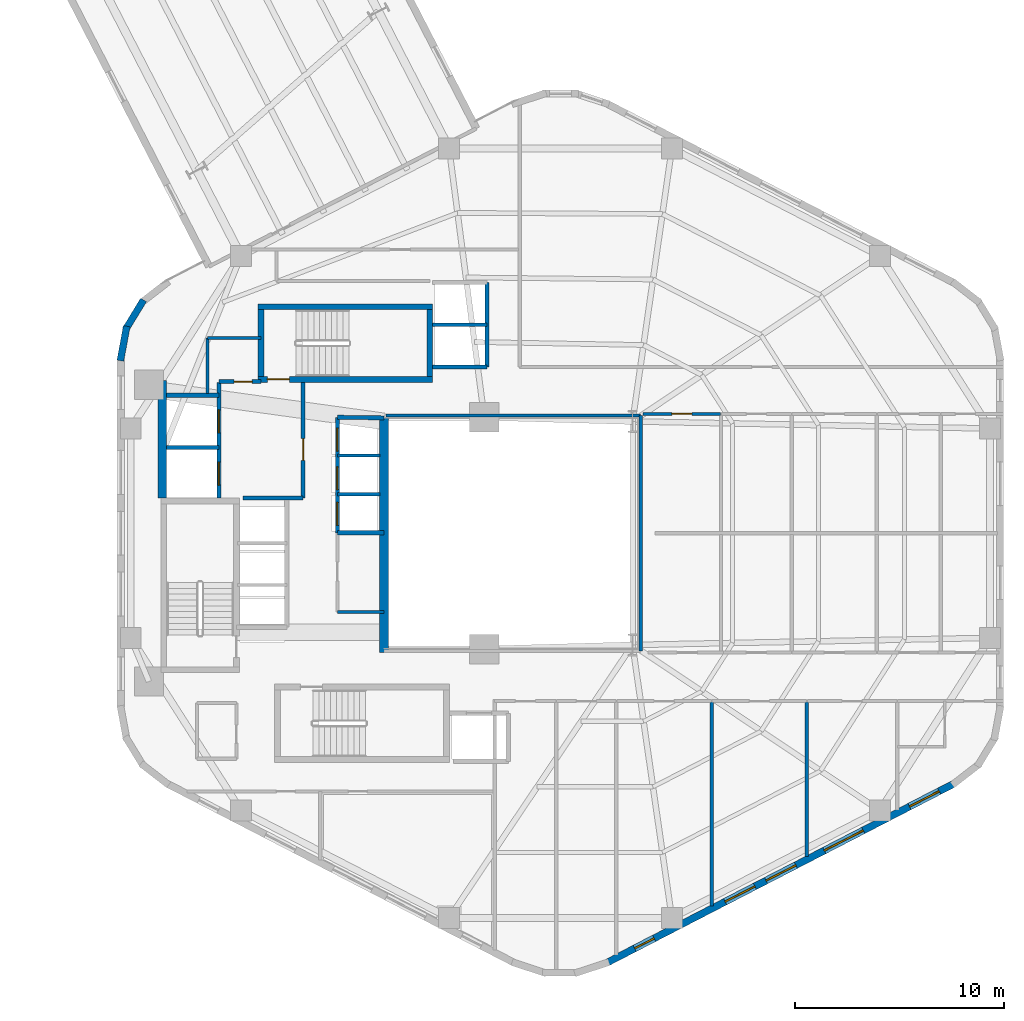
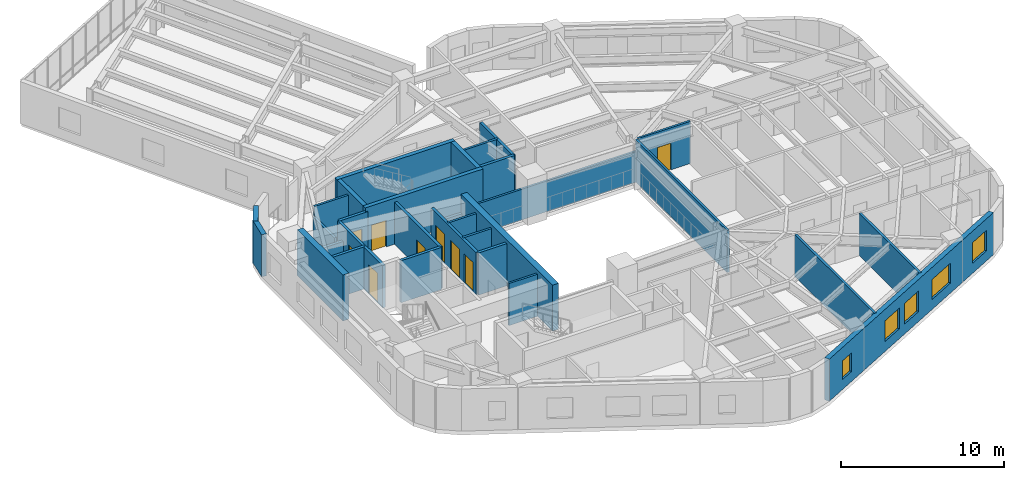
# One storey, part 7 of 10: 31 walls, 9 doors, 5 windows, 14 openings.
"""IFC4 building model written with IfcOpenShell, lengths in metres."""

import ifcopenshell
import ifcopenshell.guid

model = None  # the IFC model being written
_history = None  # IfcOwnerHistory: only IFC2X3 demands one
_inside = {}  # id of a spatial element -> (the spatial element, [elements in it])
_under = {}  # id of a project, library or spatial element -> (it, [spatial elements below it])
_declared = {}  # id of a project -> (the project, [libraries it declares])
_typed = {}  # id of a type object -> (the type object, [elements of that type])
_made_of = {}  # id of a material, layer set ... -> (it, [elements and type objects made of it])


def new_model(schema):
    """Start an empty IFC model of exactly this schema.

    Asked for "IFC4X3", IfcOpenShell would pick the latest addendum, in which some entities
    have other attributes; the version numbers below select the first issue.
    IFC2X3 requires an IfcOwnerHistory on every rooted entity: one is made here for all.
    """
    global model, _history
    if schema == "IFC4X3":
        model = ifcopenshell.file(schema_version=(4, 3, 0, 0))
    else:
        model = ifcopenshell.file(schema=schema)
    _inside.clear()
    _under.clear()
    _declared.clear()
    _typed.clear()
    _made_of.clear()
    _history = None
    if model.schema == "IFC2X3":
        org = make("IfcOrganization", Name="unknown")
        user = make(
            "IfcPersonAndOrganization",
            ThePerson=make("IfcPerson", FamilyName="unknown"),
            TheOrganization=org,
        )
        app = make(
            "IfcApplication",
            ApplicationDeveloper=org,
            Version="unknown",
            ApplicationFullName="unknown",
            ApplicationIdentifier="unknown",
        )
        _history = make(
            "IfcOwnerHistory",
            OwningUser=user,
            OwningApplication=app,
            ChangeAction="ADDED",
            CreationDate=0,
        )
    return model


def make(cls, **values):
    """One entity of the class cls with the attributes given. An attribute that is None is left unset."""
    return model.create_entity(
        cls, **{name: value for name, value in values.items() if value is not None}
    )


def rooted(cls, **values):
    """An entity with a GlobalId (a new one), such as an element, a storey or a relation."""
    return make(cls, GlobalId=ifcopenshell.guid.new(), OwnerHistory=_history, **values)


def si_unit(unit_type, name, prefix=None):
    """IfcSIUnit, for example si_unit("LENGTHUNIT", "METRE", prefix="MILLI")."""
    return make("IfcSIUnit", UnitType=unit_type, Prefix=prefix, Name=name)


def assignment(units):
    """IfcUnitAssignment: the units of a project."""
    return None if units is None else make("IfcUnitAssignment", Units=units)


def point(xyz):
    """IfcCartesianPoint."""
    return None if xyz is None else make("IfcCartesianPoint", Coordinates=xyz)


def direction(xyz):
    """IfcDirection."""
    return None if xyz is None else make("IfcDirection", DirectionRatios=xyz)


def frame(location, z_axis=None, x_axis=None):
    """IfcAxis2Placement3D, a coordinate frame: its origin and axes. An axis left out is left unset."""
    return make(
        "IfcAxis2Placement3D",
        Location=point(location),
        Axis=direction(z_axis),
        RefDirection=direction(x_axis),
    )


def frame_2d(location, x_axis=None):
    """IfcAxis2Placement2D, a coordinate frame in the plane: its origin and x axis."""
    return make(
        "IfcAxis2Placement2D", Location=point(location), RefDirection=direction(x_axis)
    )


def origin():
    """The frame at (0, 0, 0) with its axes left unset."""
    return frame((0.0, 0.0, 0.0))


def place(relative_to, where):
    """IfcLocalPlacement: puts the frame where relative to a parent placement (None: the world)."""
    return make(
        "IfcLocalPlacement", PlacementRelTo=relative_to, RelativePlacement=where
    )


def context(
    kind, dimensions, precision=None, world=None, true_north=None, identifier=None
):
    """IfcGeometricRepresentationContext, for example the 3D "Model" context."""
    return make(
        "IfcGeometricRepresentationContext",
        ContextIdentifier=identifier,
        ContextType=kind,
        CoordinateSpaceDimension=dimensions,
        Precision=precision,
        WorldCoordinateSystem=world,
        TrueNorth=true_north,
    )


def subcontext(parent, identifier, kind, view, scale=None):
    """IfcGeometricRepresentationSubContext, for example "Body" below "Model"."""
    return make(
        "IfcGeometricRepresentationSubContext",
        ContextIdentifier=identifier,
        ContextType=kind,
        ParentContext=parent,
        TargetScale=scale,
        TargetView=view,
    )


def project(units=None, contexts=None):
    """IfcProject with its units and contexts."""
    return rooted(
        "IfcProject",
        Name="project",
        RepresentationContexts=contexts,
        UnitsInContext=assignment(units),
    )


def spatial(cls, under=None, at=None, **own):
    """A site, building, storey or space (cls), placed at a placement, below another one or the project."""
    s = rooted(cls, ObjectPlacement=at, **own)
    if under is not None:
        _under.setdefault(under.id(), (under, []))[1].append(s)
    return s


def profile(cls, at=None, kind="AREA", **sizes):
    """A parametric profile (cls). Its sizes go by their IFC names, for example OverallWidth=200.0."""
    return make(cls, ProfileType=kind, Position=at, **sizes)


def rectangle(**sizes):
    """IfcRectangleProfileDef."""
    return profile("IfcRectangleProfileDef", **sizes)


def extrude(swept, where, along, depth):
    """IfcExtrudedAreaSolid: the profile swept, set in the frame where, extruded along a direction by depth."""
    return make(
        "IfcExtrudedAreaSolid",
        SweptArea=swept,
        Position=where,
        ExtrudedDirection=direction(along),
        Depth=depth,
    )


def shape(context_of_items, identifier, shape_type, items):
    """IfcShapeRepresentation: the items that make up one representation, for example the "Body"."""
    return make(
        "IfcShapeRepresentation",
        ContextOfItems=context_of_items,
        RepresentationIdentifier=identifier,
        RepresentationType=shape_type,
        Items=items,
    )


def material(Name=None, Category=None):
    """IfcMaterial."""
    return make("IfcMaterial", Name=Name, Category=Category)


def layer(
    of_material, thickness, ventilated=None, Name=None, Category=None, Priority=None
):
    """IfcMaterialLayer: one layer of a wall or slab, of a material (None: an air gap)."""
    return make(
        "IfcMaterialLayer",
        Material=of_material,
        LayerThickness=thickness,
        IsVentilated=ventilated,
        Name=Name,
        Category=Category,
        Priority=Priority,
    )


def layer_set(layers, Name=None):
    """IfcMaterialLayerSet."""
    return make("IfcMaterialLayerSet", MaterialLayers=layers, LayerSetName=Name)


def made_of(thing, what):
    """Note that an element or type object is made of a material, layer set ...; save() writes the relation."""
    if what is not None:
        _made_of.setdefault(what.id(), (what, []))[1].append(thing)
    return thing


def type_object(cls, material=None, **own):
    """A type object (cls), such as IfcWallType, which elements share."""
    return made_of(rooted(cls, **own), material)


def element(
    cls,
    number,
    at=None,
    inside=None,
    cuts=None,
    type_object=None,
    material=None,
    context=None,
    identifier="Body",
    shape_type=None,
    held_by="IfcProductDefinitionShape",
    body=None,
    shapes=None,
    **own,
):
    """One element of the class cls, such as IfcWall. Its Tag is "e" and its number.

    at: its placement. inside: the storey or other place that contains it. cuts: it is an
    opening in that element (IfcRelVoidsElement). A single representation is given by context,
    identifier, shape_type and body (its items); several are given by shapes. held_by: the class
    of the entity that holds the representations. save() writes the other relations.
    """
    e = rooted(cls, Tag="e%d" % number, ObjectPlacement=at, **own)
    if body is not None:
        shapes = [shape(context, identifier, shape_type, body)]
    if shapes is not None:
        e.Representation = make(held_by, Representations=shapes)
    if inside is not None:
        _inside.setdefault(inside.id(), (inside, []))[1].append(e)
    if cuts is not None:
        rooted(
            "IfcRelVoidsElement", RelatingBuildingElement=cuts, RelatedOpeningElement=e
        )
    if type_object is not None:
        _typed.setdefault(type_object.id(), (type_object, []))[1].append(e)
    return made_of(e, material)


def fill(opening, filler):
    """IfcRelFillsElement: the door or window that sits in an opening."""
    return rooted(
        "IfcRelFillsElement",
        RelatingOpeningElement=opening,
        RelatedBuildingElement=filler,
    )


def aggregate(whole, parts):
    """IfcRelAggregates: a whole, such as a stair, and the parts it consists of."""
    return rooted("IfcRelAggregates", RelatingObject=whole, RelatedObjects=parts)


def save(model, path):
    """Write the relations noted so far, then the file.

    IfcRelAggregates (storeys below a building ...), IfcRelContainedInSpatialStructure (elements
    in a storey), IfcRelDefinesByType, IfcRelAssociatesMaterial and IfcRelDeclares: one each for
    every whole, place, type object, material and project.
    """
    for whole, parts in _under.values():
        aggregate(whole, parts)
    for where, things in _inside.values():
        rooted(
            "IfcRelContainedInSpatialStructure",
            RelatedElements=things,
            RelatingStructure=where,
        )
    for kind, things in _typed.values():
        rooted("IfcRelDefinesByType", RelatedObjects=things, RelatingType=kind)
    for what, things in _made_of.values():
        rooted("IfcRelAssociatesMaterial", RelatedObjects=things, RelatingMaterial=what)
    for by, libraries in _declared.values():
        rooted("IfcRelDeclares", RelatingContext=by, RelatedDefinitions=libraries)
    model.write(path)


model = new_model("IFC4")

# Units and contexts
model_context = context("Model", 3, precision=1e-05, world=origin(), true_north=direction((0.0, 1.0)))
body_context = subcontext(model_context, "Body", "Model", "MODEL_VIEW")
ifc_project = project(units=[si_unit("LENGTHUNIT", "METRE"), si_unit("AREAUNIT", "SQUARE_METRE"), si_unit("VOLUMEUNIT", "CUBIC_METRE"), si_unit("PLANEANGLEUNIT", "RADIAN"), si_unit("MASSUNIT", "GRAM", prefix="KILO"), si_unit("THERMODYNAMICTEMPERATUREUNIT", "KELVIN"), si_unit("POWERUNIT", "WATT")], contexts=[model_context])

# Site, building, storey
site_placement = place(None, origin())
site = spatial("IfcSite", under=ifc_project, at=site_placement, CompositionType="ELEMENT")
building_placement = place(site_placement, origin())
building = spatial("IfcBuilding", under=site, at=building_placement, Name="Skarre Station Tower", CompositionType="ELEMENT")
storey_placement = place(building_placement, frame((0.0, 0.0, 142.949951171875)))
storey = spatial("IfcBuildingStorey", under=building, at=storey_placement, Name="L38", CompositionType="ELEMENT", Elevation=142.949951171875)

# Walls
ifc_material_1 = material(Name="Acoustic Steel-Stud Gypsum Partition", Category="steel")
ifc_layer_1 = layer(ifc_material_1, 0.14990234375, Name="Acoustic Steel-Stud Gypsum Partition")
ifc_layer_set_1 = layer_set([ifc_layer_1], Name="Acoustic Steel-Stud Gypsum Partition")
wall_type_1 = type_object("IfcWallType", Name="Fire-Rated Corridor Acoustic Partition 150", PredefinedType="PARTITIONING", material=ifc_layer_set_1)
wall_1_placement = place(storey_placement, frame((25.320068359375, 20.219970703125, 0.0), z_axis=(0.0, 0.0, 1.0), x_axis=(1.0, 0.0, 0.0)))
element("IfcWall", 1, at=wall_1_placement, inside=storey, type_object=wall_type_1, Name="L38 Interior Partition WL-PT-L38-RC1-S", PredefinedType="PARTITIONING", context=body_context, shape_type="SweptSolid", body=[
    extrude(rectangle(XDim=2.22998046875, YDim=0.14990234375, at=frame_2d((1.114990234375, 0.0))), origin(), (0.0, 0.0, 1.0), 3.16015625),
])
wall_2_placement = place(storey_placement, frame((19.10009765625, 33.35009765625, 0.0), z_axis=(0.0, 0.0, 1.0), x_axis=(0.0, -1.0, 0.0)))
element("IfcWall", 2, at=wall_2_placement, inside=storey, type_object=wall_type_1, Name="L38 Interior Partition WL-PT-L38-CNW-W", PredefinedType="PARTITIONING", context=body_context, shape_type="SweptSolid", body=[
    extrude(rectangle(XDim=2.655029296875, YDim=0.14990234375, at=frame_2d((1.32763671875, 0.0))), origin(), (0.0, 0.0, 1.0), 2.39013671875),
])
wall_3_placement = place(storey_placement, frame((21.659912109375, 33.35009765625, 0.0), z_axis=(0.0, 0.0, 1.0), x_axis=(-1.0, 0.0, 0.0)))
element("IfcWall", 3, at=wall_3_placement, inside=storey, type_object=wall_type_1, Name="L38 Interior Partition WL-PT-L38-CNW-N1", PredefinedType="PARTITIONING", context=body_context, shape_type="SweptSolid", body=[
    extrude(rectangle(XDim=2.559814453125, YDim=0.14990234375, at=frame_2d((1.27978515625, 0.0))), origin(), (0.0, 0.0, 1.0), 3.16015625),
])
wall_4_placement = place(storey_placement, frame((39.840087890625, 29.639892578125, 0.0), z_axis=(0.0, 0.0, 1.0), x_axis=(-1.0, 0.0, 0.0)))
element("IfcWall", 4, at=wall_4_placement, inside=storey, type_object=wall_type_1, Name="L38 Interior Partition WL-PT-L38-ATRW-N", PredefinedType="PARTITIONING", context=body_context, shape_type="SweptSolid", body=[
    extrude(rectangle(XDim=12.2001953125, YDim=0.14990234375, at=frame_2d((6.10009765625, 0.0))), origin(), (0.0, 0.0, 1.0), 2.301025390625),
])
wall_5_placement = place(storey_placement, frame((39.840087890625, 18.360107421875, 0.0), z_axis=(0.0, 0.0, 1.0), x_axis=(0.0, 1.0, 0.0)))
element("IfcWall", 5, at=wall_5_placement, inside=storey, type_object=wall_type_1, Name="L38 Interior Partition WL-PT-L38-ATRW-E", PredefinedType="PARTITIONING", context=body_context, shape_type="SweptSolid", body=[
    extrude(rectangle(XDim=11.27978515625, YDim=0.14990234375, at=frame_2d((5.639892578125, 0.0))), origin(), (0.0, 0.0, 1.0), 3.16015625),
])

# Wall, opening, door
wall_6_placement = place(storey_placement, frame((39.949951171875, 29.7099609375, 0.0), z_axis=(0.0, 0.0, 1.0), x_axis=(1.0, 0.0, 0.0)))
wall_6 = element("IfcWall", 6, at=wall_6_placement, inside=storey, type_object=wall_type_1, Name="L38 Interior Partition WL-PT-L38-EWN1-CW", PredefinedType="PARTITIONING", context=body_context, shape_type="SweptSolid", body=[
    extrude(rectangle(XDim=3.718017578125, YDim=0.14990234375, at=frame_2d((1.85888671875, 0.0))), origin(), (0.0, 0.0, 1.0), 3.16015625),
])
opening_1_placement = place(wall_6_placement, frame((1.37890625, 0.0, 0.0)))
opening_1 = element("IfcOpeningElement", 7, at=opening_1_placement, cuts=wall_6, Name="Opening DR-FD60", PredefinedType="OPENING", context=body_context, shape_type="SweptSolid", body=[
    extrude(rectangle(XDim=0.9599609375, YDim=2.0, at=frame_2d((0.47998046875, 1.0))), frame((0.0, 0.0849609375, 0.0), z_axis=(0.0, -1.0, 0.0), x_axis=(1.0, 0.0, 0.0)), (0.0, 0.0, 1.0), 0.169921875),
])
ifc_material_2 = material(Name="Nordic White-Oak Veneer Solid-Core Fire Leaf", Category="wood")
door_type_1 = type_object("IfcDoorType", Name="Corridor Suite Entry Fire Door FD60 960x2150", OperationType="SINGLE_SWING_LEFT", PredefinedType="DOOR", material=ifc_material_2)
door_1_placement = place(opening_1_placement, origin())
door_1 = element("IfcDoor", 8, at=door_1_placement, inside=storey, type_object=door_type_1, Name="L38 EWN1 Entry Door", OperationType="SINGLE_SWING_LEFT", OverallHeight=2.0, OverallWidth=0.9599609375, PredefinedType="DOOR", context=body_context, shape_type="SweptSolid", body=[
    extrude(rectangle(XDim=0.9599609375, YDim=2.0, at=frame_2d((0.47998046875, 1.0))), frame((0.0, 0.02490234375, 0.0), z_axis=(0.0, -1.0, 0.0), x_axis=(1.0, 0.0, 0.0)), (0.0, 0.0, 1.0), 0.050048828125),
])
fill(opening_1, door_1)

# Wall, openings, windows
ifc_material_3 = material(Name="Precast concrete C45/55", Category="concrete")
ifc_layer_2 = layer(ifc_material_3, 0.340087890625, Name="Precast concrete C45/55")
ifc_layer_set_2 = layer_set([ifc_layer_2], Name="Precast concrete C45/55")
wall_type_2 = type_object("IfcWallType", Name="Nordic Honed Precast Facet Wall 340", PredefinedType="STANDARD", material=ifc_layer_set_2)
wall_7_placement = place(storey_placement, frame((54.8310546875, 12.010009765625, 0.0), z_axis=(0.0, 0.0, 1.0), x_axis=(-0.888613612362, -0.458656568606, 0.0)))
wall_7 = element("IfcWall", 9, at=wall_7_placement, inside=storey, type_object=wall_type_2, Name="L38 Facet 4 Nordic Precast Masonry Wall", PredefinedType="STANDARD", context=body_context, shape_type="SweptSolid", body=[
    extrude(rectangle(XDim=18.680908203125, YDim=0.340087890625, at=frame_2d((9.34033203125, 0.0))), origin(), (0.0, 0.0, 1.0), 3.16015625),
])
opening_2_placement = place(wall_7_placement, frame((0.7890625, 0.0, 0.75)))
opening_2 = element("IfcOpeningElement", 10, at=opening_2_placement, cuts=wall_7, Name="Opening WN-Z2A", PredefinedType="OPENING", context=body_context, shape_type="SweptSolid", body=[
    extrude(rectangle(XDim=1.60009765625, YDim=1.550048828125, at=frame_2d((0.800048828125, 0.77490234375))), frame((0.0, 0.179931640625, 0.0), z_axis=(0.0, -1.0, 0.0), x_axis=(1.0, 0.0, 0.0)), (0.0, 0.0, 1.0), 0.360107421875),
])
opening_3_placement = place(wall_7_placement, frame((4.882080078125, 0.0, 0.75)))
opening_3 = element("IfcOpeningElement", 11, at=opening_3_placement, cuts=wall_7, Name="Opening WN-Z2B", PredefinedType="OPENING", context=body_context, shape_type="SweptSolid", body=[
    extrude(rectangle(XDim=2.10009765625, YDim=1.5, at=frame_2d((1.050048828125, 0.75))), frame((0.0, 0.179931640625, 0.0), z_axis=(0.0, -1.0, 0.0), x_axis=(1.0, 0.0, 0.0)), (0.0, 0.0, 1.0), 0.360107421875),
])
opening_4_placement = place(wall_7_placement, frame((8.514892578125, 0.0, 0.75)))
opening_4 = element("IfcOpeningElement", 12, at=opening_4_placement, cuts=wall_7, Name="Opening WN-Z2A", PredefinedType="OPENING", context=body_context, shape_type="SweptSolid", body=[
    extrude(rectangle(XDim=1.60009765625, YDim=1.550048828125, at=frame_2d((0.800048828125, 0.77490234375))), frame((0.0, 0.179931640625, 0.0), z_axis=(0.0, -1.0, 0.0), x_axis=(1.0, 0.0, 0.0)), (0.0, 0.0, 1.0), 0.360107421875),
])
opening_5_placement = place(wall_7_placement, frame((10.718994140625, 0.0, 0.75)))
opening_5 = element("IfcOpeningElement", 13, at=opening_5_placement, cuts=wall_7, Name="Opening WN-Z2A", PredefinedType="OPENING", context=body_context, shape_type="SweptSolid", body=[
    extrude(rectangle(XDim=1.60009765625, YDim=1.550048828125, at=frame_2d((0.800048828125, 0.77490234375))), frame((0.0, 0.179931640625, 0.0), z_axis=(0.0, -1.0, 0.0), x_axis=(1.0, 0.0, 0.0)), (0.0, 0.0, 1.0), 0.360107421875),
])
opening_6_placement = place(wall_7_placement, frame((16.14306640625, 0.0, 0.75)))
opening_6 = element("IfcOpeningElement", 14, at=opening_6_placement, cuts=wall_7, Name="Opening WN-SLT", PredefinedType="OPENING", context=body_context, shape_type="SweptSolid", body=[
    extrude(rectangle(XDim=1.050048828125, YDim=1.39990234375, at=frame_2d((0.52490234375, 0.699951171875))), frame((0.0, 0.179931640625, 0.0), z_axis=(0.0, -1.0, 0.0), x_axis=(1.0, 0.0, 0.0)), (0.0, 0.0, 1.0), 0.360107421875),
])
ifc_material_4 = material(Name="Low-Iron Triple Glazing with Bronze Anodized Frame", Category="glass")
window_type_1 = type_object("IfcWindowType", Name="Nordic Corner Slot Window 1050x1400", PartitioningType="SINGLE_PANEL", PredefinedType="WINDOW", material=ifc_material_4)
window_1_placement = place(opening_6_placement, origin())
window_1 = element("IfcWindow", 15, at=window_1_placement, inside=storey, type_object=window_type_1, Name="L38 Facade Window WL-FAC-L38-F4-5", OverallHeight=1.39990234375, OverallWidth=1.050048828125, PartitioningType="SINGLE_PANEL", PredefinedType="WINDOW", context=body_context, shape_type="SweptSolid", body=[
    extrude(rectangle(XDim=1.050048828125, YDim=1.39990234375, at=frame_2d((0.52490234375, 0.699951171875))), frame((0.0, 0.030029296875, 0.0), z_axis=(0.0, -1.0, 0.0), x_axis=(1.0, 0.0, 0.0)), (0.0, 0.0, 1.0), 0.06005859375),
])
fill(opening_6, window_1)
window_type_2 = type_object("IfcWindowType", Name="Nordic Residential Tall Window 1600x1550", PartitioningType="SINGLE_PANEL", PredefinedType="WINDOW", material=ifc_material_4)
window_2_placement = place(opening_2_placement, origin())
window_2 = element("IfcWindow", 16, at=window_2_placement, inside=storey, type_object=window_type_2, Name="L38 Facade Window WL-FAC-L38-F4-1", OverallHeight=1.550048828125, OverallWidth=1.60009765625, PartitioningType="SINGLE_PANEL", PredefinedType="WINDOW", context=body_context, shape_type="SweptSolid", body=[
    extrude(rectangle(XDim=1.60009765625, YDim=1.550048828125, at=frame_2d((0.800048828125, 0.77490234375))), frame((0.0, 0.030029296875, 0.0), z_axis=(0.0, -1.0, 0.0), x_axis=(1.0, 0.0, 0.0)), (0.0, 0.0, 1.0), 0.06005859375),
])
fill(opening_2, window_2)
window_3_placement = place(opening_4_placement, origin())
window_3 = element("IfcWindow", 17, at=window_3_placement, inside=storey, type_object=window_type_2, Name="L38 Facade Window WL-FAC-L38-F4-3", OverallHeight=1.550048828125, OverallWidth=1.60009765625, PartitioningType="SINGLE_PANEL", PredefinedType="WINDOW", context=body_context, shape_type="SweptSolid", body=[
    extrude(rectangle(XDim=1.60009765625, YDim=1.550048828125, at=frame_2d((0.800048828125, 0.77490234375))), frame((0.0, 0.030029296875, 0.0), z_axis=(0.0, -1.0, 0.0), x_axis=(1.0, 0.0, 0.0)), (0.0, 0.0, 1.0), 0.06005859375),
])
fill(opening_4, window_3)
window_4_placement = place(opening_5_placement, origin())
window_4 = element("IfcWindow", 18, at=window_4_placement, inside=storey, type_object=window_type_2, Name="L38 Facade Window WL-FAC-L38-F4-4", OverallHeight=1.550048828125, OverallWidth=1.60009765625, PartitioningType="SINGLE_PANEL", PredefinedType="WINDOW", context=body_context, shape_type="SweptSolid", body=[
    extrude(rectangle(XDim=1.60009765625, YDim=1.550048828125, at=frame_2d((0.800048828125, 0.77490234375))), frame((0.0, 0.030029296875, 0.0), z_axis=(0.0, -1.0, 0.0), x_axis=(1.0, 0.0, 0.0)), (0.0, 0.0, 1.0), 0.06005859375),
])
fill(opening_5, window_4)
window_type_3 = type_object("IfcWindowType", Name="Nordic Residential Twin Window 2100x1500", PartitioningType="SINGLE_PANEL", PredefinedType="WINDOW", material=ifc_material_4)
window_5_placement = place(opening_3_placement, origin())
window_5 = element("IfcWindow", 19, at=window_5_placement, inside=storey, type_object=window_type_3, Name="L38 Facade Window WL-FAC-L38-F4-2", OverallHeight=1.5, OverallWidth=2.10009765625, PartitioningType="SINGLE_PANEL", PredefinedType="WINDOW", context=body_context, shape_type="SweptSolid", body=[
    extrude(rectangle(XDim=2.10009765625, YDim=1.5, at=frame_2d((1.050048828125, 0.75))), frame((0.0, 0.030029296875, 0.0), z_axis=(0.0, -1.0, 0.0), x_axis=(1.0, 0.0, 0.0)), (0.0, 0.0, 1.0), 0.06005859375),
])
fill(opening_3, window_5)

# Walls
ifc_layer_3 = layer(ifc_material_3, 0.330078125, Name="Precast concrete C45/55")
ifc_layer_set_3 = layer_set([ifc_layer_3], Name="Precast concrete C45/55")
wall_type_3 = type_object("IfcWallType", Name="Nordic Rounded Corner Precast Wall 330", PredefinedType="STANDARD", material=ifc_layer_set_3)
wall_8_placement = place(storey_placement, frame((14.931884765625, 32.258056640625, 0.0), z_axis=(0.0, 0.0, 1.0), x_axis=(0.181984991895, 0.983301308209, 0.0)))
element("IfcWall", 20, at=wall_8_placement, inside=storey, type_object=wall_type_3, Name="L38 Rounded Corner Precast Wall F2-1", PredefinedType="STANDARD", context=body_context, shape_type="SweptSolid", body=[
    extrude(rectangle(XDim=1.677001953125, YDim=0.330078125, at=frame_2d((0.83837890625, 0.0))), origin(), (0.0, 0.0, 1.0), 3.16015625),
])
wall_9_placement = place(storey_placement, frame((15.169921875, 33.73193359375, 0.0), z_axis=(0.0, 0.0, 1.0), x_axis=(0.520519429557, 0.853849824883, 0.0)))
element("IfcWall", 21, at=wall_9_placement, inside=storey, type_object=wall_type_3, Name="L38 Rounded Corner Precast Wall F2-2", PredefinedType="STANDARD", context=body_context, shape_type="SweptSolid", body=[
    extrude(rectangle(XDim=1.67724609375, YDim=0.330078125, at=frame_2d((0.838623046875, 0.0))), origin(), (0.0, 0.0, 1.0), 3.16015625),
])

# Wall, opening, door
ifc_material_5 = material(Name="Concrete C50/60", Category="concrete")
ifc_layer_4 = layer(ifc_material_5, 0.280029296875, Name="Concrete C50/60")
ifc_layer_set_4 = layer_set([ifc_layer_4], Name="Concrete C50/60")
wall_type_4 = type_object("IfcWallType", Name="RC Core Shear Wall 280", PredefinedType="SHEAR", material=ifc_layer_set_4)
wall_10_placement = place(storey_placement, frame((21.52001953125, 31.360107421875, 0.0), z_axis=(0.0, 0.0, 1.0), x_axis=(1.0, 0.0, 0.0)))
wall_10 = element("IfcWall", 22, at=wall_10_placement, inside=storey, type_object=wall_type_4, Name="L38 Stair ST-3 South Shear Wall", PredefinedType="SHEAR", context=body_context, shape_type="SweptSolid", body=[
    extrude(rectangle(XDim=8.35986328125, YDim=0.280029296875, at=frame_2d((4.179931640625, 0.0))), origin(), (0.0, 0.0, 1.0), 3.449951171875),
])
opening_7_placement = place(wall_10_placement, frame((0.449951171875, 0.0, 0.0)))
opening_7 = element("IfcOpeningElement", 23, at=opening_7_placement, cuts=wall_10, Name="Opening DR-FD90", PredefinedType="OPENING", context=body_context, shape_type="SweptSolid", body=[
    extrude(rectangle(XDim=1.050048828125, YDim=2.0, at=frame_2d((0.52490234375, 1.0))), frame((0.0, 0.14990234375, 0.0), z_axis=(0.0, -1.0, 0.0), x_axis=(1.0, 0.0, 0.0)), (0.0, 0.0, 1.0), 0.300048828125),
])
ifc_material_6 = material(Name="Fire-Rated Insulated Steel Frame & Timber Core Leaf", Category="steel")
door_type_2 = type_object("IfcDoorType", Name="Stair & FSAE Lobby Fire Door FD90 1050x2150", OperationType="SINGLE_SWING_RIGHT", PredefinedType="DOOR", material=ifc_material_6)
door_2_placement = place(opening_7_placement, origin())
door_2 = element("IfcDoor", 24, at=door_2_placement, inside=storey, type_object=door_type_2, Name="L38 Stair ST-3 & FSAE Lobby Direct Exit Door", OperationType="SINGLE_SWING_LEFT", OverallHeight=2.0, OverallWidth=1.050048828125, PredefinedType="DOOR", context=body_context, shape_type="SweptSolid", body=[
    extrude(rectangle(XDim=1.050048828125, YDim=2.0, at=frame_2d((0.52490234375, 1.0))), frame((0.0, 0.02490234375, 0.0), z_axis=(0.0, -1.0, 0.0), x_axis=(1.0, 0.0, 0.0)), (0.0, 0.0, 1.0), 0.050048828125),
])
fill(opening_7, door_2)

# Walls
wall_11_placement = place(storey_placement, frame((29.8798828125, 34.840087890625, 0.0), z_axis=(0.0, 0.0, 1.0), x_axis=(-1.0, 0.0, 0.0)))
element("IfcWall", 25, at=wall_11_placement, inside=storey, type_object=wall_type_4, Name="L38 Stair ST-3 North Shear Wall", PredefinedType="SHEAR", context=body_context, shape_type="SweptSolid", body=[
    extrude(rectangle(XDim=8.35986328125, YDim=0.280029296875, at=frame_2d((4.179931640625, 0.0))), origin(), (0.0, 0.0, 1.0), 3.449951171875),
])
for number, where, z_axis, x_axis, name in (
    (26, (21.659912109375, 34.699951171875, 0.0), (0.0, 0.0, 1.0), (0.0, -1.0, 0.0), "L38 Stair ST-3 West Shear Wall"),
    (27, (29.739990234375, 31.5, 0.0), (0.0, 0.0, 1.0), (0.0, 1.0, 0.0), "L38 Stair ST-3 East Shear Wall"),
):
    element("IfcWall", number, at=place(storey_placement, frame(where, z_axis=z_axis, x_axis=x_axis)), inside=storey, type_object=wall_type_4, Name=name, PredefinedType="SHEAR", context=body_context, shape_type="SweptSolid", body=[
        extrude(rectangle(XDim=3.199951171875, YDim=0.280029296875, at=frame_2d((1.60009765625, 0.0))), origin(), (0.0, 0.0, 1.0), 3.449951171875),
    ])
ifc_material_7 = material(Name="Concrete C60/75", Category="concrete")
ifc_layer_5 = layer(ifc_material_7, 0.419921875, Name="Concrete C60/75")
ifc_layer_set_5 = layer_set([ifc_layer_5], Name="Concrete C60/75")
wall_type_5 = type_object("IfcWallType", Name="RC Core Shear Wall 420", PredefinedType="SHEAR", material=ifc_layer_set_5)
wall_12_placement = place(storey_placement, frame((16.93994140625, 25.679931640625, 0.0), z_axis=(0.0, 0.0, 1.0), x_axis=(0.0, 1.0, 0.0)))
element("IfcWall", 28, at=wall_12_placement, inside=storey, type_object=wall_type_5, Name="L38 Core West-North Shear Wall", PredefinedType="SHEAR", context=body_context, shape_type="SweptSolid", body=[
    extrude(rectangle(XDim=5.6201171875, YDim=0.419921875, at=frame_2d((2.81005859375, 0.0))), origin(), (0.0, 0.0, 1.0), 3.449951171875),
])
wall_13_placement = place(storey_placement, frame((27.550048828125, 29.550048828125, 0.0), z_axis=(0.0, 0.0, 1.0), x_axis=(0.0, -1.0, 0.0)))
element("IfcWall", 29, at=wall_13_placement, inside=storey, type_object=wall_type_5, Name="L38 Core East Atrium Shear Wall", PredefinedType="SHEAR", context=body_context, shape_type="SweptSolid", body=[
    extrude(rectangle(XDim=11.25, YDim=0.419921875, at=frame_2d((5.625, 0.0))), origin(), (0.0, 0.0, 1.0), 3.449951171875),
])

# Wall, openings, doors
ifc_material_8 = material(Name="Gypsum Concrete Shaft Assembly C30/37", Category="concrete")
ifc_layer_6 = layer(ifc_material_8, 0.199951171875, Name="Gypsum Concrete Shaft Assembly C30/37")
ifc_layer_set_6 = layer_set([ifc_layer_6], Name="Gypsum Concrete Shaft Assembly C30/37")
wall_type_6 = type_object("IfcWallType", Name="Shaft & Core Fire Partition 200", PredefinedType="PARTITIONING", material=ifc_layer_set_6)
wall_14_placement = place(storey_placement, frame((19.64990234375, 25.679931640625, 0.0), z_axis=(0.0, 0.0, 1.0), x_axis=(0.0, 1.0, 0.0)))
wall_14 = element("IfcWall", 30, at=wall_14_placement, inside=storey, type_object=wall_type_6, Name="L38 Interior Partition WL-PT-L38-FSAE-W", PredefinedType="PARTITIONING", context=body_context, shape_type="SweptSolid", body=[
    extrude(rectangle(XDim=5.5400390625, YDim=0.199951171875, at=frame_2d((2.77001953125, 0.0))), origin(), (0.0, 0.0, 1.0), 3.16015625),
])
opening_8_placement = place(wall_14_placement, frame((0.6201171875, 0.0, 0.0)))
opening_8 = element("IfcOpeningElement", 31, at=opening_8_placement, cuts=wall_14, Name="Opening LD-FF1", PredefinedType="OPENING", context=body_context, shape_type="SweptSolid", body=[
    extrude(rectangle(XDim=1.10009765625, YDim=2.199951171875, at=frame_2d((0.550048828125, 1.10009765625))), frame((0.0, 0.10986328125, 0.0), z_axis=(0.0, -1.0, 0.0), x_axis=(1.0, 0.0, 0.0)), (0.0, 0.0, 1.0), 0.219970703125),
])
opening_9_placement = place(wall_14_placement, frame((3.1201171875, 0.0, 0.0)))
opening_9 = element("IfcOpeningElement", 32, at=opening_9_placement, cuts=wall_14, Name="Opening LD-FF2", PredefinedType="OPENING", context=body_context, shape_type="SweptSolid", body=[
    extrude(rectangle(XDim=1.10009765625, YDim=2.199951171875, at=frame_2d((0.550048828125, 1.10009765625))), frame((0.0, 0.10986328125, 0.0), z_axis=(0.0, -1.0, 0.0), x_axis=(1.0, 0.0, 0.0)), (0.0, 0.0, 1.0), 0.219970703125),
])
ifc_material_9 = material(Name="Fire-Rated Stainless Steel Grade 316L Sliding Leaves", Category="steel")
door_type_3 = type_object("IfcDoorType", Name="Fire Service Access Elevator Sliding Landing Door 1100x2200", OperationType="SLIDING_TO_LEFT", PredefinedType="DOOR", material=ifc_material_9)
door_3_placement = place(opening_8_placement, origin())
door_3 = element("IfcDoor", 33, at=door_3_placement, inside=storey, type_object=door_type_3, Name="L38 Firefighting Lift LF-FF1 Landing Door", OperationType="SLIDING_TO_LEFT", OverallHeight=2.199951171875, OverallWidth=1.10009765625, PredefinedType="DOOR", context=body_context, shape_type="SweptSolid", body=[
    extrude(rectangle(XDim=1.10009765625, YDim=2.199951171875, at=frame_2d((0.550048828125, 1.10009765625))), frame((0.0, 0.02490234375, 0.0), z_axis=(0.0, -1.0, 0.0), x_axis=(1.0, 0.0, 0.0)), (0.0, 0.0, 1.0), 0.050048828125),
])
fill(opening_8, door_3)
door_4_placement = place(opening_9_placement, origin())
door_4 = element("IfcDoor", 34, at=door_4_placement, inside=storey, type_object=door_type_3, Name="L38 Firefighting Lift LF-FF2 Landing Door", OperationType="SLIDING_TO_LEFT", OverallHeight=2.199951171875, OverallWidth=1.10009765625, PredefinedType="DOOR", context=body_context, shape_type="SweptSolid", body=[
    extrude(rectangle(XDim=1.10009765625, YDim=2.199951171875, at=frame_2d((0.550048828125, 1.10009765625))), frame((0.0, 0.02490234375, 0.0), z_axis=(0.0, -1.0, 0.0), x_axis=(1.0, 0.0, 0.0)), (0.0, 0.0, 1.0), 0.050048828125),
])
fill(opening_9, door_4)

# Wall
wall_15_placement = place(storey_placement, frame((20.79296875, 25.679931640625, 0.0), z_axis=(0.0, 0.0, 1.0), x_axis=(1.0, 0.0, 0.0)))
element("IfcWall", 35, at=wall_15_placement, inside=storey, type_object=wall_type_6, Name="L38 Interior Partition WL-PT-L38-FSAE-S", PredefinedType="PARTITIONING", context=body_context, shape_type="SweptSolid", body=[
    extrude(rectangle(XDim=2.886962890625, YDim=0.199951171875, at=frame_2d((1.443359375, 0.0))), origin(), (0.0, 0.0, 1.0), 3.16015625),
])

# Wall, opening, door
wall_16_placement = place(storey_placement, frame((23.679931640625, 25.679931640625, 0.0), z_axis=(0.0, 0.0, 1.0), x_axis=(0.0, 1.0, 0.0)))
wall_16 = element("IfcWall", 36, at=wall_16_placement, inside=storey, type_object=wall_type_6, Name="L38 Interior Partition WL-PT-L38-FSAE-E", PredefinedType="PARTITIONING", context=body_context, shape_type="SweptSolid", body=[
    extrude(rectangle(XDim=5.5400390625, YDim=0.199951171875, at=frame_2d((2.77001953125, 0.0))), origin(), (0.0, 0.0, 1.0), 3.16015625),
])
opening_10_placement = place(wall_16_placement, frame((1.800048828125, 0.0, 0.0)))
opening_10 = element("IfcOpeningElement", 37, at=opening_10_placement, cuts=wall_16, Name="Opening DR-FD90", PredefinedType="OPENING", context=body_context, shape_type="SweptSolid", body=[
    extrude(rectangle(XDim=1.050048828125, YDim=2.0, at=frame_2d((0.52490234375, 1.0))), frame((0.0, 0.10986328125, 0.0), z_axis=(0.0, -1.0, 0.0), x_axis=(1.0, 0.0, 0.0)), (0.0, 0.0, 1.0), 0.219970703125),
])
door_5_placement = place(opening_10_placement, origin())
door_5 = element("IfcDoor", 38, at=door_5_placement, inside=storey, type_object=door_type_2, Name="L38 FSAE Lobby Fire Door", OperationType="SINGLE_SWING_RIGHT", OverallHeight=2.0, OverallWidth=1.050048828125, PredefinedType="DOOR", context=body_context, shape_type="SweptSolid", body=[
    extrude(rectangle(XDim=1.050048828125, YDim=2.0, at=frame_2d((0.52490234375, 1.0))), frame((0.0, 0.02490234375, 0.0), z_axis=(0.0, -1.0, 0.0), x_axis=(1.0, 0.0, 0.0)), (0.0, 0.0, 1.0), 0.050048828125),
])
fill(opening_10, door_5)

wall_17_placement = place(storey_placement, frame((21.659912109375, 31.260009765625, 0.0), z_axis=(0.0, 0.0, 1.0), x_axis=(-1.0, 0.0, 0.0)))
wall_17 = element("IfcWall", 39, at=wall_17_placement, inside=storey, type_object=wall_type_6, Name="L38 Interior Partition WL-PT-L38-FSAE-N", PredefinedType="PARTITIONING", context=body_context, shape_type="SweptSolid", body=[
    extrude(rectangle(XDim=2.010009765625, YDim=0.199951171875, at=frame_2d((1.0048828125, 0.0))), origin(), (0.0, 0.0, 1.0), 3.16015625),
])
opening_11_placement = place(wall_17_placement, frame((0.419921875, 0.0, 0.0)))
opening_11 = element("IfcOpeningElement", 40, at=opening_11_placement, cuts=wall_17, Name="Opening DR-SVC86", PredefinedType="OPENING", context=body_context, shape_type="SweptSolid", body=[
    extrude(rectangle(XDim=0.860107421875, YDim=2.0, at=frame_2d((0.43017578125, 1.0))), frame((0.0, 0.10986328125, 0.0), z_axis=(0.0, -1.0, 0.0), x_axis=(1.0, 0.0, 0.0)), (0.0, 0.0, 1.0), 0.219970703125),
])
ifc_material_10 = material(Name="Powder-Coated Hollow-Metal Acoustic Fire Leaf", Category="steel")
door_type_4 = type_object("IfcDoorType", Name="Compact Riser Fire Door FD60 860x2100", OperationType="SINGLE_SWING_LEFT", PredefinedType="DOOR", material=ifc_material_10)
door_6_placement = place(opening_11_placement, origin())
door_6 = element("IfcDoor", 41, at=door_6_placement, inside=storey, type_object=door_type_4, Name="L38 Core Service Room Lobby Door", OperationType="SINGLE_SWING_LEFT", OverallHeight=2.0, OverallWidth=0.860107421875, PredefinedType="DOOR", context=body_context, shape_type="SweptSolid", body=[
    extrude(rectangle(XDim=0.860107421875, YDim=2.0, at=frame_2d((0.43017578125, 1.0))), frame((0.0, 0.02490234375, 0.0), z_axis=(0.0, -1.0, 0.0), x_axis=(1.0, 0.0, 0.0)), (0.0, 0.0, 1.0), 0.050048828125),
])
fill(opening_11, door_6)

# Walls
wall_18_placement = place(storey_placement, frame((17.14990234375, 28.10009765625, 0.0), z_axis=(0.0, 0.0, 1.0), x_axis=(1.0, 0.0, 0.0)))
element("IfcWall", 42, at=wall_18_placement, inside=storey, type_object=wall_type_6, Name="L38 Interior Partition WL-PT-L38-FF-DIV", PredefinedType="PARTITIONING", context=body_context, shape_type="SweptSolid", body=[
    extrude(rectangle(XDim=2.5, YDim=0.199951171875, at=frame_2d((1.25, 0.0))), origin(), (0.0, 0.0, 1.0), 3.16015625),
])
wall_19_placement = place(storey_placement, frame((19.64990234375, 30.60009765625, 0.0), z_axis=(0.0, 0.0, 1.0), x_axis=(-1.0, 0.0, 0.0)))
element("IfcWall", 43, at=wall_19_placement, inside=storey, type_object=wall_type_6, Name="L38 Interior Partition WL-PT-L38-FF-N", PredefinedType="PARTITIONING", context=body_context, shape_type="SweptSolid", body=[
    extrude(rectangle(XDim=2.5, YDim=0.199951171875, at=frame_2d((1.25, 0.0))), origin(), (0.0, 0.0, 1.0), 2.06005859375),
])
wall_20_placement = place(storey_placement, frame((32.47998046875, 31.949951171875, 0.0), z_axis=(0.0, 0.0, 1.0), x_axis=(0.0, 1.0, 0.0)))
element("IfcWall", 44, at=wall_20_placement, inside=storey, type_object=wall_type_6, Name="L38 Interior Partition WL-PT-L38-EX-E", PredefinedType="PARTITIONING", context=body_context, shape_type="SweptSolid", body=[
    extrude(rectangle(XDim=4.050048828125, YDim=0.199951171875, at=frame_2d((2.02490234375, 0.0))), origin(), (0.0, 0.0, 1.0), 3.16015625),
])
wall_21_placement = place(storey_placement, frame((32.47998046875, 31.949951171875, 0.0), z_axis=(0.0, 0.0, 1.0), x_axis=(-1.0, 0.0, 0.0)))
element("IfcWall", 45, at=wall_21_placement, inside=storey, type_object=wall_type_6, Name="L38 Interior Partition WL-PT-L38-EX-S", PredefinedType="PARTITIONING", context=body_context, shape_type="SweptSolid", body=[
    extrude(rectangle(XDim=2.60009765625, YDim=0.199951171875, at=frame_2d((1.300048828125, 0.0))), origin(), (0.0, 0.0, 1.0), 3.16015625),
])
wall_22_placement = place(storey_placement, frame((29.875, 33.97998046875, 0.0), z_axis=(0.0, 0.0, 1.0), x_axis=(1.0, 0.0, 0.0)))
element("IfcWall", 46, at=wall_22_placement, inside=storey, type_object=wall_type_6, Name="L38 Interior Partition WL-PT-L38-EX-DIV", PredefinedType="PARTITIONING", context=body_context, shape_type="SweptSolid", body=[
    extrude(rectangle(XDim=2.60498046875, YDim=0.159912109375, at=frame_2d((1.302490234375, 0.0))), origin(), (0.0, 0.0, 1.0), 3.16015625),
])

# Wall, openings, doors
wall_23_placement = place(storey_placement, frame((25.320068359375, 29.550048828125, 0.0), z_axis=(0.0, 0.0, 1.0), x_axis=(0.0, -1.0, 0.0)))
wall_23 = element("IfcWall", 47, at=wall_23_placement, inside=storey, type_object=wall_type_6, Name="L38 Interior Partition WL-PT-L38-B2-W", PredefinedType="PARTITIONING", context=body_context, shape_type="SweptSolid", body=[
    extrude(rectangle(XDim=5.530029296875, YDim=0.199951171875, at=frame_2d((2.76513671875, 0.0))), origin(), (0.0, 0.0, 1.0), 3.16015625),
])
opening_12_placement = place(wall_23_placement, frame((0.52001953125, 0.0, 0.0)))
opening_12 = element("IfcOpeningElement", 48, at=opening_12_placement, cuts=wall_23, Name="Opening LD-P6", PredefinedType="OPENING", context=body_context, shape_type="SweptSolid", body=[
    extrude(rectangle(XDim=1.10009765625, YDim=2.199951171875, at=frame_2d((0.550048828125, 1.10009765625))), frame((0.0, 0.10986328125, 0.0), z_axis=(0.0, -1.0, 0.0), x_axis=(1.0, 0.0, 0.0)), (0.0, 0.0, 1.0), 0.219970703125),
])
opening_13_placement = place(wall_23_placement, frame((2.3701171875, 0.0, 0.0)))
opening_13 = element("IfcOpeningElement", 49, at=opening_13_placement, cuts=wall_23, Name="Opening LD-P5", PredefinedType="OPENING", context=body_context, shape_type="SweptSolid", body=[
    extrude(rectangle(XDim=1.10009765625, YDim=2.199951171875, at=frame_2d((0.550048828125, 1.10009765625))), frame((0.0, 0.10986328125, 0.0), z_axis=(0.0, -1.0, 0.0), x_axis=(1.0, 0.0, 0.0)), (0.0, 0.0, 1.0), 0.219970703125),
])
opening_14_placement = place(wall_23_placement, frame((4.070068359375, 0.0, 0.0)))
opening_14 = element("IfcOpeningElement", 50, at=opening_14_placement, cuts=wall_23, Name="Opening LD-P4", PredefinedType="OPENING", context=body_context, shape_type="SweptSolid", body=[
    extrude(rectangle(XDim=1.10009765625, YDim=2.199951171875, at=frame_2d((0.550048828125, 1.10009765625))), frame((0.0, 0.10986328125, 0.0), z_axis=(0.0, -1.0, 0.0), x_axis=(1.0, 0.0, 0.0)), (0.0, 0.0, 1.0), 0.219970703125),
])
ifc_material_11 = material(Name="Brushed Bronze Stainless Steel Sliding Leaves", Category="steel")
door_type_5 = type_object("IfcDoorType", Name="Passenger Elevator Center-Parting Sliding Door 1100x2200", OperationType="SLIDING_TO_LEFT", PredefinedType="DOOR", material=ifc_material_11)
door_7_placement = place(opening_12_placement, origin())
door_7 = element("IfcDoor", 51, at=door_7_placement, inside=storey, type_object=door_type_5, Name="L38 Passenger Lift LF-P6 Landing Door", OperationType="SLIDING_TO_LEFT", OverallHeight=2.199951171875, OverallWidth=1.10009765625, PredefinedType="DOOR", context=body_context, shape_type="SweptSolid", body=[
    extrude(rectangle(XDim=1.10009765625, YDim=2.199951171875, at=frame_2d((0.550048828125, 1.10009765625))), frame((0.0, 0.02490234375, 0.0), z_axis=(0.0, -1.0, 0.0), x_axis=(1.0, 0.0, 0.0)), (0.0, 0.0, 1.0), 0.050048828125),
])
fill(opening_12, door_7)
door_8_placement = place(opening_13_placement, origin())
door_8 = element("IfcDoor", 52, at=door_8_placement, inside=storey, type_object=door_type_5, Name="L38 Passenger Lift LF-P5 Landing Door", OperationType="SLIDING_TO_LEFT", OverallHeight=2.199951171875, OverallWidth=1.10009765625, PredefinedType="DOOR", context=body_context, shape_type="SweptSolid", body=[
    extrude(rectangle(XDim=1.10009765625, YDim=2.199951171875, at=frame_2d((0.550048828125, 1.10009765625))), frame((0.0, 0.02490234375, 0.0), z_axis=(0.0, -1.0, 0.0), x_axis=(1.0, 0.0, 0.0)), (0.0, 0.0, 1.0), 0.050048828125),
])
fill(opening_13, door_8)
door_9_placement = place(opening_14_placement, origin())
door_9 = element("IfcDoor", 53, at=door_9_placement, inside=storey, type_object=door_type_5, Name="L38 Passenger Lift LF-P4 Landing Door", OperationType="SLIDING_TO_LEFT", OverallHeight=2.199951171875, OverallWidth=1.10009765625, PredefinedType="DOOR", context=body_context, shape_type="SweptSolid", body=[
    extrude(rectangle(XDim=1.10009765625, YDim=2.199951171875, at=frame_2d((0.550048828125, 1.10009765625))), frame((0.0, 0.02490234375, 0.0), z_axis=(0.0, -1.0, 0.0), x_axis=(1.0, 0.0, 0.0)), (0.0, 0.0, 1.0), 0.050048828125),
])
fill(opening_14, door_9)

# Walls
wall_24_placement = place(storey_placement, frame((27.550048828125, 29.52001953125, 0.0), z_axis=(0.0, 0.0, 1.0), x_axis=(-0.999909343457, 0.013464949556, 0.0)))
element("IfcWall", 54, at=wall_24_placement, inside=storey, type_object=wall_type_6, Name="L38 Interior Partition WL-PT-L38-B2-N", PredefinedType="PARTITIONING", context=body_context, shape_type="SweptSolid", body=[
    extrude(rectangle(XDim=2.230224609375, YDim=0.199951171875, at=frame_2d((1.115234375, 0.0))), origin(), (0.0, 0.0, 1.0), 2.06005859375),
])
wall_25_placement = place(storey_placement, frame((25.320068359375, 24.02001953125, 0.0), z_axis=(0.0, 0.0, 1.0), x_axis=(1.0, 0.0, 0.0)))
element("IfcWall", 55, at=wall_25_placement, inside=storey, type_object=wall_type_6, Name="L38 Interior Partition WL-PT-L38-B2-S", PredefinedType="PARTITIONING", context=body_context, shape_type="SweptSolid", body=[
    extrude(rectangle(XDim=2.22998046875, YDim=0.199951171875, at=frame_2d((1.114990234375, 0.0))), origin(), (0.0, 0.0, 1.0), 3.16015625),
])
for number, where, z_axis, x_axis, name in (
    (56, (25.320068359375, 25.8701171875, 0.0), (0.0, 0.0, 1.0), (1.0, 0.0, 0.0), "L38 Interior Partition WL-PT-L38-B2-D258"),
    (57, (25.320068359375, 27.719970703125, 0.0), (0.0, 0.0, 1.0), (1.0, 0.0, 0.0), "L38 Interior Partition WL-PT-L38-B2-D277"),
):
    element("IfcWall", number, at=place(storey_placement, frame(where, z_axis=z_axis, x_axis=x_axis)), inside=storey, type_object=wall_type_6, Name=name, PredefinedType="PARTITIONING", context=body_context, shape_type="SweptSolid", body=[
        extrude(rectangle(XDim=2.030029296875, YDim=0.159912109375, at=frame_2d((1.01513671875, 0.0))), origin(), (0.0, 0.0, 1.0), 3.16015625),
    ])
ifc_layer_7 = layer(ifc_material_1, 0.1650390625, Name="Acoustic Steel-Stud Gypsum Partition")
ifc_layer_set_7 = layer_set([ifc_layer_7], Name="Acoustic Steel-Stud Gypsum Partition")
wall_type_7 = type_object("IfcWallType", Name="Suite Demising Acoustic Partition 165", PredefinedType="PARTITIONING", material=ifc_layer_set_7)
wall_26_placement = place(storey_placement, frame((43.239013671875, 6.162109375, 0.0), z_axis=(0.0, 0.0, 1.0), x_axis=(0.0, 1.0, 0.0)))
element("IfcWall", 58, at=wall_26_placement, inside=storey, type_object=wall_type_7, Name="L38 Interior Partition WL-PT-L38-SW-P3", PredefinedType="PARTITIONING", context=body_context, shape_type="SweptSolid", body=[
    extrude(rectangle(XDim=9.767822265625, YDim=0.1650390625, at=frame_2d((4.8837890625, 0.0))), origin(), (0.0, 0.0, 1.0), 3.16015625),
])
wall_27_placement = place(storey_placement, frame((47.799072265625, 8.51611328125, 0.0), z_axis=(0.0, 0.0, 1.0), x_axis=(0.0, 1.0, 0.0)))
element("IfcWall", 59, at=wall_27_placement, inside=storey, type_object=wall_type_7, Name="L38 Interior Partition WL-PT-L38-SW-P4", PredefinedType="PARTITIONING", context=body_context, shape_type="SweptSolid", body=[
    extrude(rectangle(XDim=7.413818359375, YDim=0.1650390625, at=frame_2d((3.70703125, 0.0))), origin(), (0.0, 0.0, 1.0), 3.16015625),
])

save(model, "model.ifc")
